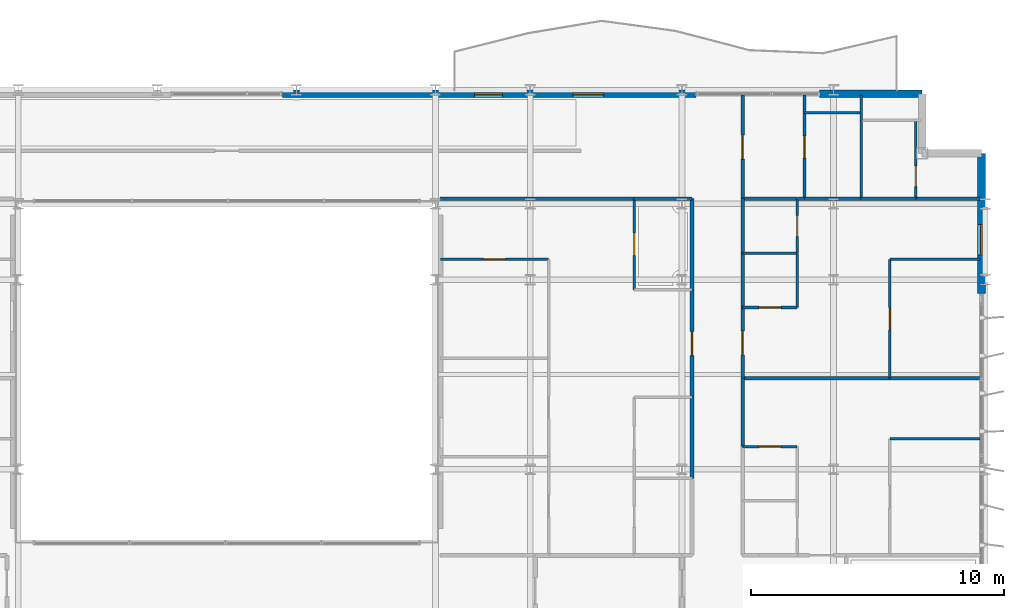
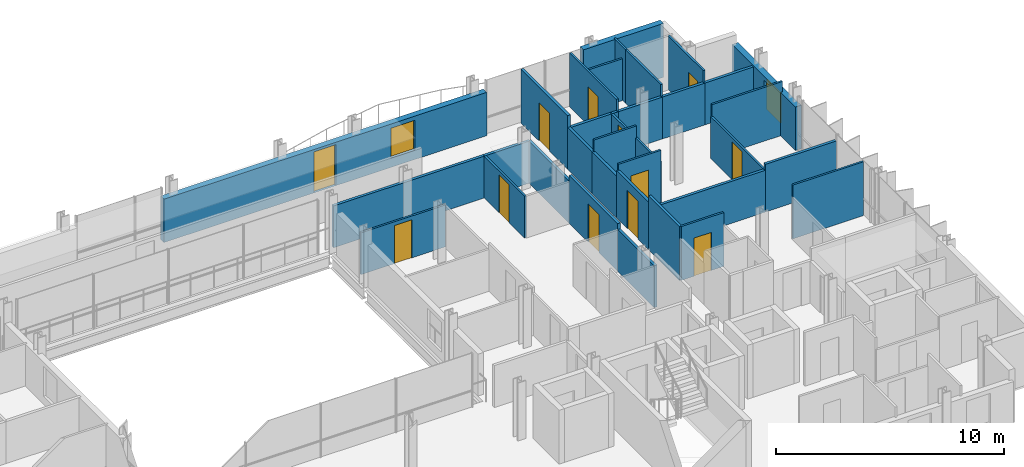
# One storey, part 32 of 39: 35 walls, 12 doors, 2 windows, 14 openings.
"""IFC4 building model written with IfcOpenShell, lengths in metres."""

from ifc_helpers import new_model, si_unit, direction, frame, frame_2d, origin, place, context, subcontext, project, spatial, rectangle, extrude, material, layer, layer_set, type_object, element, fill, save


model = new_model("IFC4")

# Units and contexts
model_context = context("Model", 3, precision=1e-05, world=origin(), true_north=direction((0.0, 1.0)))
body_context = subcontext(model_context, "Body", "Model", "MODEL_VIEW")
ifc_project = project(units=[si_unit("LENGTHUNIT", "METRE"), si_unit("AREAUNIT", "SQUARE_METRE"), si_unit("VOLUMEUNIT", "CUBIC_METRE"), si_unit("PLANEANGLEUNIT", "RADIAN"), si_unit("MASSUNIT", "GRAM", prefix="KILO")], contexts=[model_context])

# Site, building, storey
site_placement = place(None, origin())
site = spatial("IfcSite", under=ifc_project, at=site_placement, CompositionType="ELEMENT")
building_placement = place(site_placement, origin())
building = spatial("IfcBuilding", under=site, at=building_placement, Name="Brevholm Reach", CompositionType="ELEMENT")
storey_placement = place(building_placement, frame((0.0, 0.0, 115.89990234375)))
storey = spatial("IfcBuildingStorey", under=building, at=storey_placement, Name="L34", CompositionType="ELEMENT", Elevation=115.89990234375)

# Wall, opening, window
ifc_material_1 = material(Name="Concrete C40/50", Category="concrete")
ifc_layer_1 = layer(ifc_material_1, 0.300048828125)
ifc_layer_set_1 = layer_set([ifc_layer_1], Name="Concrete C40/50")
wall_type_1 = type_object("IfcWallType", Name="WAL-EXT-300", PredefinedType="STANDARD", material=ifc_layer_set_1)
wall_1_placement = place(storey_placement, frame((59.85009765625, 22.949951171875, 0.0), z_axis=(0.0, 0.0, 1.0), x_axis=(0.0, 1.0, 0.0)))
wall_1 = element("IfcWall", 1, at=wall_1_placement, inside=storey, type_object=wall_type_1, Name="L34 Facade Wall WAL-L34-E-N", PredefinedType="STANDARD", context=body_context, shape_type="SweptSolid", body=[
    extrude(rectangle(XDim=5.550048828125, YDim=0.300048828125, at=frame_2d((2.77490234375, 0.0))), origin(), (0.0, 0.0, 1.0), 2.322021484375),
])
opening_1_placement = place(wall_1_placement, frame((1.530029296875, 0.0, 0.501953125)))
opening_1 = element("IfcOpeningElement", 2, at=opening_1_placement, cuts=wall_1, Name="Opening WN-08", PredefinedType="OPENING", context=body_context, shape_type="SweptSolid", body=[
    extrude(rectangle(XDim=1.199951171875, YDim=1.60009765625, at=frame_2d((0.60009765625, 0.800048828125))), frame((0.0, 0.159912109375, 0.0), z_axis=(0.0, -1.0, 0.0), x_axis=(1.0, 0.0, 0.0)), (0.0, 0.0, 1.0), 0.320068359375),
])
ifc_material_2 = material(Name="Dark Anodised Aluminium and Solar-Control IGU Glass", Category="aluminium")
window_type = type_object("IfcWindowType", Name="WIN-RES-1200", PartitioningType="SINGLE_PANEL", PredefinedType="WINDOW", material=ifc_material_2)
window_1_placement = place(opening_1_placement, origin())
window_1 = element("IfcWindow", 3, at=window_1_placement, inside=storey, type_object=window_type, Name="L34 Window WIN-L34-EN-1", OverallHeight=1.60009765625, OverallWidth=1.199951171875, PartitioningType="SINGLE_PANEL", PredefinedType="WINDOW", context=body_context, shape_type="SweptSolid", body=[
    extrude(rectangle(XDim=1.199951171875, YDim=1.60009765625, at=frame_2d((0.60009765625, 0.800048828125))), frame((0.0, 0.030029296875, 0.0), z_axis=(0.0, -1.0, 0.0), x_axis=(1.0, 0.0, 0.0)), (0.0, 0.0, 1.0), 0.06005859375),
])
fill(opening_1, window_1)

# Wall
wall_2_placement = place(storey_placement, frame((53.449951171875, 30.85009765625, 0.0), z_axis=(0.0, 0.0, 1.0), x_axis=(1.0, 0.0, 0.0)))
element("IfcWall", 4, at=wall_2_placement, inside=storey, type_object=wall_type_1, Name="L34 Facade Wall WAL-L34-NP-E0", PredefinedType="STANDARD", context=body_context, shape_type="SweptSolid", body=[
    extrude(rectangle(XDim=4.050048828125, YDim=0.300048828125, at=frame_2d((2.02490234375, 0.0))), origin(), (0.0, 0.0, 1.0), 2.880126953125),
])

# Wall, openings, door, window
wall_3_placement = place(storey_placement, frame((32.199951171875, 30.85009765625, 0.0), z_axis=(0.0, 0.0, 1.0), x_axis=(1.0, 0.0, 0.0)))
wall_3 = element("IfcWall", 5, at=wall_3_placement, inside=storey, type_object=wall_type_1, Name="L34 Facade Wall WAL-L34-NP-ER", PredefinedType="STANDARD", context=body_context, shape_type="SweptSolid", body=[
    extrude(rectangle(XDim=16.35009765625, YDim=0.300048828125, at=frame_2d((8.175048828125, 0.0))), origin(), (0.0, 0.0, 1.0), 2.322021484375),
])
opening_2_placement = place(wall_3_placement, frame((7.60009765625, 0.0, 0.0)))
opening_2 = element("IfcOpeningElement", 6, at=opening_2_placement, cuts=wall_3, Name="Opening BD-01", PredefinedType="OPENING", context=body_context, shape_type="SweptSolid", body=[
    extrude(rectangle(XDim=1.10009765625, YDim=2.199951171875, at=frame_2d((0.550048828125, 1.10009765625))), frame((0.0, 0.159912109375, 0.0), z_axis=(0.0, -1.0, 0.0), x_axis=(1.0, 0.0, 0.0)), (0.0, 0.0, 1.0), 0.320068359375),
])
opening_3_placement = place(wall_3_placement, frame((11.5, 0.0, 0.501953125)))
opening_3 = element("IfcOpeningElement", 7, at=opening_3_placement, cuts=wall_3, Name="Opening WN-08", PredefinedType="OPENING", context=body_context, shape_type="SweptSolid", body=[
    extrude(rectangle(XDim=1.199951171875, YDim=1.60009765625, at=frame_2d((0.60009765625, 0.800048828125))), frame((0.0, 0.159912109375, 0.0), z_axis=(0.0, -1.0, 0.0), x_axis=(1.0, 0.0, 0.0)), (0.0, 0.0, 1.0), 0.320068359375),
])
ifc_material_3 = material(Name="Dark Anodised Aluminium and Triple-Glazed Glass", Category="aluminium")
door_type_1 = type_object("IfcDoorType", Name="DOR-BALC-1100", OperationType="NOTDEFINED", PredefinedType="DOOR", material=ifc_material_3)
door_1_placement = place(opening_2_placement, origin())
door_1 = element("IfcDoor", 8, at=door_1_placement, inside=storey, type_object=door_type_1, Name="L34 Exterior Door DOR-L34-BL-NE", OperationType="SINGLE_SWING_LEFT", OverallHeight=2.199951171875, OverallWidth=1.10009765625, PredefinedType="DOOR", context=body_context, shape_type="SweptSolid", body=[
    extrude(rectangle(XDim=1.10009765625, YDim=2.199951171875, at=frame_2d((0.550048828125, 1.10009765625))), frame((0.0, 0.02490234375, 0.0), z_axis=(0.0, -1.0, 0.0), x_axis=(1.0, 0.0, 0.0)), (0.0, 0.0, 1.0), 0.050048828125),
])
fill(opening_2, door_1)
window_2_placement = place(opening_3_placement, origin())
window_2 = element("IfcWindow", 9, at=window_2_placement, inside=storey, type_object=window_type, Name="L34 Window WIN-L34-NP-ER1", OverallHeight=1.60009765625, OverallWidth=1.199951171875, PartitioningType="SINGLE_PANEL", PredefinedType="WINDOW", context=body_context, shape_type="SweptSolid", body=[
    extrude(rectangle(XDim=1.199951171875, YDim=1.60009765625, at=frame_2d((0.60009765625, 0.800048828125))), frame((0.0, 0.030029296875, 0.0), z_axis=(0.0, -1.0, 0.0), x_axis=(1.0, 0.0, 0.0)), (0.0, 0.0, 1.0), 0.06005859375),
])
fill(opening_3, window_2)

# Wall, opening, door
ifc_material_4 = material(Name="Moisture-Resistant Acoustic Gypsum Stud Partition 100 mm", Category="gypsum")
ifc_layer_2 = layer(ifc_material_4, 0.10009765625)
ifc_layer_set_2 = layer_set([ifc_layer_2], Name="Moisture-Resistant Acoustic Gypsum Stud Partition 100 mm")
wall_type_2 = type_object("IfcWallType", Name="WAL-PRT-100", PredefinedType="PARTITIONING", material=ifc_layer_set_2)
wall_4_placement = place(storey_placement, frame((46.112060546875, 23.10009765625, 0.0), z_axis=(0.0, 0.0, 1.0), x_axis=(0.0, 1.0, 0.0)))
wall_4 = element("IfcWall", 10, at=wall_4_placement, inside=storey, type_object=wall_type_2, Name="L34 Internal Partition 125", PredefinedType="PARTITIONING", context=body_context, shape_type="SweptSolid", body=[
    extrude(rectangle(XDim=3.595947265625, YDim=0.10009765625, at=frame_2d((1.7978515625, 0.0))), origin(), (0.0, 0.0, 1.0), 2.242919921875),
])
opening_4_placement = place(wall_4_placement, frame((1.35791015625, 0.0, 0.0)))
opening_4 = element("IfcOpeningElement", 11, at=opening_4_placement, cuts=wall_4, Name="Opening ID-01", PredefinedType="OPENING", context=body_context, shape_type="SweptSolid", body=[
    extrude(rectangle(XDim=0.8798828125, YDim=2.0400390625, at=frame_2d((0.43994140625, 1.02001953125))), frame((0.0, 0.06005859375, 0.0), z_axis=(0.0, -1.0, 0.0), x_axis=(1.0, 0.0, 0.0)), (0.0, 0.0, 1.0), 0.1201171875),
])
ifc_material_5 = material(Name="Lacquered Ash Solid-Core Acoustic Internal Door", Category="timber")
door_type_2 = type_object("IfcDoorType", Name="DOR-INT-880", OperationType="NOTDEFINED", PredefinedType="DOOR", material=ifc_material_5)
door_2_placement = place(opening_4_placement, origin())
door_2 = element("IfcDoor", 12, at=door_2_placement, inside=storey, type_object=door_type_2, Name="L34 Internal Door 046", OperationType="SINGLE_SWING_RIGHT", OverallHeight=2.0400390625, OverallWidth=0.8798828125, PredefinedType="DOOR", context=body_context, shape_type="SweptSolid", body=[
    extrude(rectangle(XDim=0.8798828125, YDim=2.0400390625, at=frame_2d((0.43994140625, 1.02001953125))), frame((0.0, 0.02490234375, 0.0), z_axis=(0.0, -1.0, 0.0), x_axis=(1.0, 0.0, 0.0)), (0.0, 0.0, 1.0), 0.050048828125),
])
fill(opening_4, door_2)

wall_5_placement = place(storey_placement, frame((38.449951171875, 24.300048828125, 0.0), z_axis=(0.0, 0.0, 1.0), x_axis=(1.0, 0.0, 0.0)))
wall_5 = element("IfcWall", 13, at=wall_5_placement, inside=storey, type_object=wall_type_2, Name="L34 Internal Partition 131", PredefinedType="PARTITIONING", context=body_context, shape_type="SweptSolid", body=[
    extrude(rectangle(XDim=4.278076171875, YDim=0.10009765625, at=frame_2d((2.13916015625, 0.0))), origin(), (0.0, 0.0, 1.0), 2.242919921875),
])
opening_5_placement = place(wall_5_placement, frame((1.698974609375, 0.0, 0.0)))
opening_5 = element("IfcOpeningElement", 14, at=opening_5_placement, cuts=wall_5, Name="Opening ID-01", PredefinedType="OPENING", context=body_context, shape_type="SweptSolid", body=[
    extrude(rectangle(XDim=0.8798828125, YDim=2.0400390625, at=frame_2d((0.43994140625, 1.02001953125))), frame((0.0, 0.06005859375, 0.0), z_axis=(0.0, -1.0, 0.0), x_axis=(1.0, 0.0, 0.0)), (0.0, 0.0, 1.0), 0.1201171875),
])
door_3_placement = place(opening_5_placement, origin())
door_3 = element("IfcDoor", 15, at=door_3_placement, inside=storey, type_object=door_type_2, Name="L34 Internal Door 049", OperationType="SINGLE_SWING_LEFT", OverallHeight=2.0400390625, OverallWidth=0.8798828125, PredefinedType="DOOR", context=body_context, shape_type="SweptSolid", body=[
    extrude(rectangle(XDim=0.8798828125, YDim=2.0400390625, at=frame_2d((0.43994140625, 1.02001953125))), frame((0.0, 0.02490234375, 0.0), z_axis=(0.0, -1.0, 0.0), x_axis=(1.0, 0.0, 0.0)), (0.0, 0.0, 1.0), 0.050048828125),
])
fill(opening_5, door_3)

wall_6_placement = place(storey_placement, frame((50.404052734375, 16.89990234375, 0.0), z_axis=(0.0, 0.0, 1.0), x_axis=(1.0, 0.0, 0.0)))
wall_6 = element("IfcWall", 16, at=wall_6_placement, inside=storey, type_object=wall_type_2, Name="L34 Internal Partition 135", PredefinedType="PARTITIONING", context=body_context, shape_type="SweptSolid", body=[
    extrude(rectangle(XDim=2.157958984375, YDim=0.10009765625, at=frame_2d((1.0791015625, 0.0))), origin(), (0.0, 0.0, 1.0), 2.880126953125),
])
opening_6_placement = place(wall_6_placement, frame((0.638916015625, 0.0, 0.0)))
opening_6 = element("IfcOpeningElement", 17, at=opening_6_placement, cuts=wall_6, Name="Opening ID-01", PredefinedType="OPENING", context=body_context, shape_type="SweptSolid", body=[
    extrude(rectangle(XDim=0.8798828125, YDim=2.0400390625, at=frame_2d((0.43994140625, 1.02001953125))), frame((0.0, 0.06005859375, 0.0), z_axis=(0.0, -1.0, 0.0), x_axis=(1.0, 0.0, 0.0)), (0.0, 0.0, 1.0), 0.1201171875),
])
door_4_placement = place(opening_6_placement, origin())
door_4 = element("IfcDoor", 18, at=door_4_placement, inside=storey, type_object=door_type_2, Name="L34 Internal Door 051", OperationType="SINGLE_SWING_LEFT", OverallHeight=2.0400390625, OverallWidth=0.8798828125, PredefinedType="DOOR", context=body_context, shape_type="SweptSolid", body=[
    extrude(rectangle(XDim=0.8798828125, YDim=2.0400390625, at=frame_2d((0.43994140625, 1.02001953125))), frame((0.0, 0.02490234375, 0.0), z_axis=(0.0, -1.0, 0.0), x_axis=(1.0, 0.0, 0.0)), (0.0, 0.0, 1.0), 0.050048828125),
])
fill(opening_6, door_4)

# Walls
wall_7_placement = place(storey_placement, frame((56.22802734375, 17.199951171875, 0.0), z_axis=(0.0, 0.0, 1.0), x_axis=(1.0, 0.0, 0.0)))
element("IfcWall", 19, at=wall_7_placement, inside=storey, type_object=wall_type_2, Name="L34 Internal Partition 136", PredefinedType="PARTITIONING", context=body_context, shape_type="SweptSolid", body=[
    extrude(rectangle(XDim=3.572021484375, YDim=0.10009765625, at=frame_2d((1.7861328125, 0.0))), origin(), (0.0, 0.0, 1.0), 2.880126953125),
])
wall_8_placement = place(storey_placement, frame((50.404052734375, 24.550048828125, 0.0), z_axis=(0.0, 0.0, 1.0), x_axis=(1.0, 0.0, 0.0)))
element("IfcWall", 20, at=wall_8_placement, inside=storey, type_object=wall_type_2, Name="L34 Internal Partition 140", PredefinedType="PARTITIONING", context=body_context, shape_type="SweptSolid", body=[
    extrude(rectangle(XDim=2.157958984375, YDim=0.10009765625, at=frame_2d((1.0791015625, 0.0))), origin(), (0.0, 0.0, 1.0), 2.880126953125),
])

# Wall, opening, door
wall_9_placement = place(storey_placement, frame((52.56201171875, 24.550048828125, 0.0), z_axis=(0.0, 0.0, 1.0), x_axis=(0.0, 1.0, 0.0)))
wall_9 = element("IfcWall", 21, at=wall_9_placement, inside=storey, type_object=wall_type_2, Name="L34 Internal Partition 141", PredefinedType="PARTITIONING", context=body_context, shape_type="SweptSolid", body=[
    extrude(rectangle(XDim=2.14990234375, YDim=0.10009765625, at=frame_2d((1.074951171875, 0.0))), origin(), (0.0, 0.0, 1.0), 2.242919921875),
])
opening_7_placement = place(wall_9_placement, frame((0.6650390625, 0.0, 0.0)))
opening_7 = element("IfcOpeningElement", 22, at=opening_7_placement, cuts=wall_9, Name="Opening ID-03", PredefinedType="OPENING", context=body_context, shape_type="SweptSolid", body=[
    extrude(rectangle(XDim=0.820068359375, YDim=2.02001953125, at=frame_2d((0.41015625, 1.010009765625))), frame((0.0, 0.06005859375, 0.0), z_axis=(0.0, -1.0, 0.0), x_axis=(1.0, 0.0, 0.0)), (0.0, 0.0, 1.0), 0.1201171875),
])
ifc_material_6 = material(Name="Moisture-Resistant Painted Timber Internal Bathroom Door", Category="wood")
door_type_3 = type_object("IfcDoorType", Name="DOR-BATH-820", OperationType="NOTDEFINED", PredefinedType="DOOR", material=ifc_material_6)
door_5_placement = place(opening_7_placement, origin())
door_5 = element("IfcDoor", 23, at=door_5_placement, inside=storey, type_object=door_type_3, Name="L34 Internal Door 053", OperationType="SINGLE_SWING_LEFT", OverallHeight=2.02001953125, OverallWidth=0.820068359375, PredefinedType="DOOR", context=body_context, shape_type="SweptSolid", body=[
    extrude(rectangle(XDim=0.820068359375, YDim=2.02001953125, at=frame_2d((0.41015625, 1.010009765625))), frame((0.0, 0.02490234375, 0.0), z_axis=(0.0, -1.0, 0.0), x_axis=(1.0, 0.0, 0.0)), (0.0, 0.0, 1.0), 0.050048828125),
])
fill(opening_7, door_5)

wall_10_placement = place(storey_placement, frame((50.404052734375, 22.39990234375, 0.0), z_axis=(0.0, 0.0, 1.0), x_axis=(1.0, 0.0, 0.0)))
wall_10 = element("IfcWall", 24, at=wall_10_placement, inside=storey, type_object=wall_type_2, Name="L34 Internal Partition 143", PredefinedType="PARTITIONING", context=body_context, shape_type="SweptSolid", body=[
    extrude(rectangle(XDim=2.157958984375, YDim=0.10009765625, at=frame_2d((1.0791015625, 0.0))), origin(), (0.0, 0.0, 1.0), 2.880126953125),
])
opening_8_placement = place(wall_10_placement, frame((0.638916015625, 0.0, 0.0)))
opening_8 = element("IfcOpeningElement", 25, at=opening_8_placement, cuts=wall_10, Name="Opening ID-01", PredefinedType="OPENING", context=body_context, shape_type="SweptSolid", body=[
    extrude(rectangle(XDim=0.8798828125, YDim=2.0400390625, at=frame_2d((0.43994140625, 1.02001953125))), frame((0.0, 0.06005859375, 0.0), z_axis=(0.0, -1.0, 0.0), x_axis=(1.0, 0.0, 0.0)), (0.0, 0.0, 1.0), 0.1201171875),
])
door_6_placement = place(opening_8_placement, origin())
door_6 = element("IfcDoor", 26, at=door_6_placement, inside=storey, type_object=door_type_2, Name="L34 Internal Door 054", OperationType="SINGLE_SWING_RIGHT", OverallHeight=2.0400390625, OverallWidth=0.8798828125, PredefinedType="DOOR", context=body_context, shape_type="SweptSolid", body=[
    extrude(rectangle(XDim=0.8798828125, YDim=2.0400390625, at=frame_2d((0.43994140625, 1.02001953125))), frame((0.0, 0.02490234375, 0.0), z_axis=(0.0, -1.0, 0.0), x_axis=(1.0, 0.0, 0.0)), (0.0, 0.0, 1.0), 0.050048828125),
])
fill(opening_8, door_6)

# Walls
wall_11_placement = place(storey_placement, frame((52.56201171875, 22.39990234375, 0.0), z_axis=(0.0, 0.0, 1.0), x_axis=(0.0, 1.0, 0.0)))
element("IfcWall", 27, at=wall_11_placement, inside=storey, type_object=wall_type_2, Name="L34 Internal Partition 144", PredefinedType="PARTITIONING", context=body_context, shape_type="SweptSolid", body=[
    extrude(rectangle(XDim=2.14599609375, YDim=0.10009765625, at=frame_2d((1.072998046875, 0.0))), origin(), (0.0, 0.0, 1.0), 2.242919921875),
])
wall_12_placement = place(storey_placement, frame((56.22802734375, 24.300048828125, 0.0), z_axis=(0.0, 0.0, 1.0), x_axis=(1.0, 0.0, 0.0)))
element("IfcWall", 28, at=wall_12_placement, inside=storey, type_object=wall_type_2, Name="L34 Internal Partition 145", PredefinedType="PARTITIONING", context=body_context, shape_type="SweptSolid", body=[
    extrude(rectangle(XDim=3.572021484375, YDim=0.10009765625, at=frame_2d((1.7861328125, 0.0))), origin(), (0.0, 0.0, 1.0), 2.880126953125),
])

# Wall, opening, door
wall_13_placement = place(storey_placement, frame((56.22802734375, 19.60400390625, 0.0), z_axis=(0.0, 0.0, 1.0), x_axis=(0.0, 1.0, 0.0)))
wall_13 = element("IfcWall", 29, at=wall_13_placement, inside=storey, type_object=wall_type_2, Name="L34 Internal Partition 146", PredefinedType="PARTITIONING", context=body_context, shape_type="SweptSolid", body=[
    extrude(rectangle(XDim=4.696044921875, YDim=0.10009765625, at=frame_2d((2.34814453125, 0.0))), origin(), (0.0, 0.0, 1.0), 2.242919921875),
])
opening_9_placement = place(wall_13_placement, frame((1.907958984375, 0.0, 0.0)))
opening_9 = element("IfcOpeningElement", 30, at=opening_9_placement, cuts=wall_13, Name="Opening ID-01", PredefinedType="OPENING", context=body_context, shape_type="SweptSolid", body=[
    extrude(rectangle(XDim=0.8798828125, YDim=2.0400390625, at=frame_2d((0.43994140625, 1.02001953125))), frame((0.0, 0.06005859375, 0.0), z_axis=(0.0, -1.0, 0.0), x_axis=(1.0, 0.0, 0.0)), (0.0, 0.0, 1.0), 0.1201171875),
])
door_7_placement = place(opening_9_placement, origin())
door_7 = element("IfcDoor", 31, at=door_7_placement, inside=storey, type_object=door_type_2, Name="L34 Internal Door 055", OperationType="SINGLE_SWING_LEFT", OverallHeight=2.0400390625, OverallWidth=0.8798828125, PredefinedType="DOOR", context=body_context, shape_type="SweptSolid", body=[
    extrude(rectangle(XDim=0.8798828125, YDim=2.0400390625, at=frame_2d((0.43994140625, 1.02001953125))), frame((0.0, 0.02490234375, 0.0), z_axis=(0.0, -1.0, 0.0), x_axis=(1.0, 0.0, 0.0)), (0.0, 0.0, 1.0), 0.050048828125),
])
fill(opening_9, door_7)

# Wall
wall_14_placement = place(storey_placement, frame((55.10009765625, 26.7041015625, 0.0), z_axis=(0.0, 0.0, 1.0), x_axis=(0.0, 1.0, 0.0)))
element("IfcWall", 32, at=wall_14_placement, inside=storey, type_object=wall_type_2, Name="L34 Internal Partition 157", PredefinedType="PARTITIONING", context=body_context, shape_type="SweptSolid", body=[
    extrude(rectangle(XDim=3.095947265625, YDim=0.10009765625, at=frame_2d((1.5478515625, 0.0))), origin(), (0.0, 0.0, 1.0), 2.880126953125),
])

# Wall, opening, door
wall_15_placement = place(storey_placement, frame((57.25, 26.7041015625, 0.0), z_axis=(0.0, 0.0, 1.0), x_axis=(0.0, 1.0, 0.0)))
wall_15 = element("IfcWall", 33, at=wall_15_placement, inside=storey, type_object=wall_type_2, Name="L34 Internal Partition 158", PredefinedType="PARTITIONING", context=body_context, shape_type="SweptSolid", body=[
    extrude(rectangle(XDim=3.095947265625, YDim=0.10009765625, at=frame_2d((1.5478515625, 0.0))), origin(), (0.0, 0.0, 1.0), 2.880126953125),
])
opening_10_placement = place(wall_15_placement, frame((0.47802734375, 0.0, 0.0)))
opening_10 = element("IfcOpeningElement", 34, at=opening_10_placement, cuts=wall_15, Name="Opening ID-03", PredefinedType="OPENING", context=body_context, shape_type="SweptSolid", body=[
    extrude(rectangle(XDim=0.820068359375, YDim=2.02001953125, at=frame_2d((0.41015625, 1.010009765625))), frame((0.0, 0.06005859375, 0.0), z_axis=(0.0, -1.0, 0.0), x_axis=(1.0, 0.0, 0.0)), (0.0, 0.0, 1.0), 0.1201171875),
])
door_8_placement = place(opening_10_placement, origin())
door_8 = element("IfcDoor", 35, at=door_8_placement, inside=storey, type_object=door_type_3, Name="L34 Internal Door 058", OperationType="SINGLE_SWING_RIGHT", OverallHeight=2.02001953125, OverallWidth=0.820068359375, PredefinedType="DOOR", context=body_context, shape_type="SweptSolid", body=[
    extrude(rectangle(XDim=0.820068359375, YDim=2.02001953125, at=frame_2d((0.41015625, 1.010009765625))), frame((0.0, 0.02490234375, 0.0), z_axis=(0.0, -1.0, 0.0), x_axis=(1.0, 0.0, 0.0)), (0.0, 0.0, 1.0), 0.050048828125),
])
fill(opening_10, door_8)

# Walls
wall_16_placement = place(storey_placement, frame((55.10009765625, 29.803955078125, 0.0), z_axis=(0.0, 0.0, 1.0), x_axis=(0.0, 1.0, 0.0)))
element("IfcWall", 36, at=wall_16_placement, inside=storey, type_object=wall_type_2, Name="L34 Internal Partition 160", PredefinedType="PARTITIONING", context=body_context, shape_type="SweptSolid", body=[
    extrude(rectangle(XDim=0.99609375, YDim=0.10009765625, at=frame_2d((0.498046875, 0.0))), origin(), (0.0, 0.0, 1.0), 2.880126953125),
])
wall_17_placement = place(storey_placement, frame((52.85009765625, 30.10009765625, 0.0), z_axis=(0.0, 0.0, 1.0), x_axis=(1.0, 0.0, 0.0)))
element("IfcWall", 37, at=wall_17_placement, inside=storey, type_object=wall_type_2, Name="L34 Internal Partition 161", PredefinedType="PARTITIONING", context=body_context, shape_type="SweptSolid", body=[
    extrude(rectangle(XDim=2.25, YDim=0.10009765625, at=frame_2d((1.125, 0.0))), origin(), (0.0, 0.0, 1.0), 2.242919921875),
])

# Wall, opening, door
wall_18_placement = place(storey_placement, frame((52.85009765625, 26.7041015625, 0.0), z_axis=(0.0, 0.0, 1.0), x_axis=(0.0, 1.0, 0.0)))
wall_18 = element("IfcWall", 38, at=wall_18_placement, inside=storey, type_object=wall_type_2, Name="L34 Internal Partition 162", PredefinedType="PARTITIONING", context=body_context, shape_type="SweptSolid", body=[
    extrude(rectangle(XDim=4.095947265625, YDim=0.10009765625, at=frame_2d((2.0478515625, 0.0))), origin(), (0.0, 0.0, 1.0), 2.880126953125),
])
opening_11_placement = place(wall_18_placement, frame((1.60791015625, 0.0, 0.0)))
opening_11 = element("IfcOpeningElement", 39, at=opening_11_placement, cuts=wall_18, Name="Opening ID-01", PredefinedType="OPENING", context=body_context, shape_type="SweptSolid", body=[
    extrude(rectangle(XDim=0.8798828125, YDim=2.0400390625, at=frame_2d((0.43994140625, 1.02001953125))), frame((0.0, 0.06005859375, 0.0), z_axis=(0.0, -1.0, 0.0), x_axis=(1.0, 0.0, 0.0)), (0.0, 0.0, 1.0), 0.1201171875),
])
door_9_placement = place(opening_11_placement, origin())
door_9 = element("IfcDoor", 40, at=door_9_placement, inside=storey, type_object=door_type_2, Name="L34 Internal Door 059", OperationType="SINGLE_SWING_LEFT", OverallHeight=2.0400390625, OverallWidth=0.8798828125, PredefinedType="DOOR", context=body_context, shape_type="SweptSolid", body=[
    extrude(rectangle(XDim=0.8798828125, YDim=2.0400390625, at=frame_2d((0.43994140625, 1.02001953125))), frame((0.0, 0.02490234375, 0.0), z_axis=(0.0, -1.0, 0.0), x_axis=(1.0, 0.0, 0.0)), (0.0, 0.0, 1.0), 0.050048828125),
])
fill(opening_11, door_9)

# Walls
ifc_material_7 = material(Name="Twin-Stud Acoustic Fire-Rated Gypsum Partition 140 mm", Category="gypsum")
ifc_layer_3 = layer(ifc_material_7, 0.139892578125)
ifc_layer_set_3 = layer_set([ifc_layer_3], Name="Twin-Stud Acoustic Fire-Rated Gypsum Partition 140 mm")
wall_type_3 = type_object("IfcWallType", Name="WAL-PRT-140", PredefinedType="PARTITIONING", material=ifc_layer_set_3)
wall_19_placement = place(storey_placement, frame((48.39990234375, 15.642578125, 0.0), z_axis=(0.0, 0.0, 1.0), x_axis=(0.0, 1.0, 0.0)))
element("IfcWall", 41, at=wall_19_placement, inside=storey, type_object=wall_type_3, Name="L34 Internal Partition 047", PredefinedType="PARTITIONING", context=body_context, shape_type="SweptSolid", body=[
    extrude(rectangle(XDim=3.21875, YDim=0.139892578125, at=frame_2d((1.609375, 0.0))), origin(), (0.0, 0.0, 1.0), 2.242919921875),
])
wall_20_placement = place(storey_placement, frame((48.39990234375, 23.088623046875, 0.0), z_axis=(0.0, 0.0, 1.0), x_axis=(0.0, 1.0, 0.0)))
element("IfcWall", 42, at=wall_20_placement, inside=storey, type_object=wall_type_3, Name="L34 Internal Partition 048", PredefinedType="PARTITIONING", context=body_context, shape_type="SweptSolid", body=[
    extrude(rectangle(XDim=3.61865234375, YDim=0.139892578125, at=frame_2d((1.809326171875, 0.0))), origin(), (0.0, 0.0, 1.0), 2.242919921875),
])

# Wall, opening, door
wall_21_placement = place(storey_placement, frame((48.39990234375, 18.8427734375, 0.0), z_axis=(0.0, 0.0, 1.0), x_axis=(0.0, 1.0, 0.0)))
wall_21 = element("IfcWall", 43, at=wall_21_placement, inside=storey, type_object=wall_type_3, Name="L34 Internal Partition 049", PredefinedType="PARTITIONING", context=body_context, shape_type="SweptSolid", body=[
    extrude(rectangle(XDim=4.2646484375, YDim=0.139892578125, at=frame_2d((2.13232421875, 0.0))), origin(), (0.0, 0.0, 1.0), 2.5517578125),
])
opening_12_placement = place(wall_21_placement, frame((1.6572265625, 0.0, 0.0)))
opening_12 = element("IfcOpeningElement", 44, at=opening_12_placement, cuts=wall_21, Name="Opening ID-30", PredefinedType="OPENING", context=body_context, shape_type="SweptSolid", body=[
    extrude(rectangle(XDim=0.949951171875, YDim=2.050048828125, at=frame_2d((0.47509765625, 1.02490234375))), frame((0.0, 0.079833984375, 0.0), z_axis=(0.0, -1.0, 0.0), x_axis=(1.0, 0.0, 0.0)), (0.0, 0.0, 1.0), 0.159912109375),
])
ifc_material_8 = material(Name="European Oak Veneered Solid-Core Fire Entrance Door", Category="timber")
door_type_4 = type_object("IfcDoorType", Name="DOR-FLT-FD30S", OperationType="NOTDEFINED", PredefinedType="DOOR", material=ifc_material_8)
door_10_placement = place(opening_12_placement, origin())
door_10 = element("IfcDoor", 45, at=door_10_placement, inside=storey, type_object=door_type_4, Name="L34 Internal Door 020", OperationType="SINGLE_SWING_RIGHT", OverallHeight=2.050048828125, OverallWidth=0.949951171875, PredefinedType="DOOR", context=body_context, shape_type="SweptSolid", body=[
    extrude(rectangle(XDim=0.949951171875, YDim=2.050048828125, at=frame_2d((0.47509765625, 1.02490234375))), frame((0.0, 0.02490234375, 0.0), z_axis=(0.0, -1.0, 0.0), x_axis=(1.0, 0.0, 0.0)), (0.0, 0.0, 1.0), 0.050048828125),
])
fill(opening_12, door_10)

# Walls
wall_22_placement = place(storey_placement, frame((50.39990234375, 16.892578125, 0.0), z_axis=(0.0, 0.0, 1.0), x_axis=(0.0, 1.0, 0.0)))
element("IfcWall", 46, at=wall_22_placement, inside=storey, type_object=wall_type_3, Name="L34 Internal Partition 052", PredefinedType="PARTITIONING", context=body_context, shape_type="SweptSolid", body=[
    extrude(rectangle(XDim=2.71875, YDim=0.139892578125, at=frame_2d((1.359375, 0.0))), origin(), (0.0, 0.0, 1.0), 2.880126953125),
])
wall_23_placement = place(storey_placement, frame((50.39990234375, 24.538818359375, 0.0), z_axis=(0.0, 0.0, 1.0), x_axis=(0.0, 1.0, 0.0)))
element("IfcWall", 47, at=wall_23_placement, inside=storey, type_object=wall_type_3, Name="L34 Internal Partition 053", PredefinedType="PARTITIONING", context=body_context, shape_type="SweptSolid", body=[
    extrude(rectangle(XDim=2.17236328125, YDim=0.139892578125, at=frame_2d((1.086181640625, 0.0))), origin(), (0.0, 0.0, 1.0), 2.242919921875),
])
wall_24_placement = place(storey_placement, frame((50.39990234375, 22.388671875, 0.0), z_axis=(0.0, 0.0, 1.0), x_axis=(0.0, 1.0, 0.0)))
element("IfcWall", 48, at=wall_24_placement, inside=storey, type_object=wall_type_3, Name="L34 Internal Partition 054", PredefinedType="PARTITIONING", context=body_context, shape_type="SweptSolid", body=[
    extrude(rectangle(XDim=2.168701171875, YDim=0.139892578125, at=frame_2d((1.08447265625, 0.0))), origin(), (0.0, 0.0, 1.0), 2.242919921875),
])

# Wall, opening, door
wall_25_placement = place(storey_placement, frame((50.39990234375, 19.5927734375, 0.0), z_axis=(0.0, 0.0, 1.0), x_axis=(0.0, 1.0, 0.0)))
wall_25 = element("IfcWall", 49, at=wall_25_placement, inside=storey, type_object=wall_type_3, Name="L34 Internal Partition 055", PredefinedType="PARTITIONING", context=body_context, shape_type="SweptSolid", body=[
    extrude(rectangle(XDim=2.814453125, YDim=0.139892578125, at=frame_2d((1.4072265625, 0.0))), origin(), (0.0, 0.0, 1.0), 2.5517578125),
])
opening_13_placement = place(wall_25_placement, frame((0.932373046875, 0.0, 0.0)))
opening_13 = element("IfcOpeningElement", 50, at=opening_13_placement, cuts=wall_25, Name="Opening ID-30", PredefinedType="OPENING", context=body_context, shape_type="SweptSolid", body=[
    extrude(rectangle(XDim=0.949951171875, YDim=2.050048828125, at=frame_2d((0.47509765625, 1.02490234375))), frame((0.0, 0.079833984375, 0.0), z_axis=(0.0, -1.0, 0.0), x_axis=(1.0, 0.0, 0.0)), (0.0, 0.0, 1.0), 0.159912109375),
])
door_11_placement = place(opening_13_placement, origin())
door_11 = element("IfcDoor", 51, at=door_11_placement, inside=storey, type_object=door_type_4, Name="L34 Internal Door 021", OperationType="SINGLE_SWING_LEFT", OverallHeight=2.050048828125, OverallWidth=0.949951171875, PredefinedType="DOOR", context=body_context, shape_type="SweptSolid", body=[
    extrude(rectangle(XDim=0.949951171875, YDim=2.050048828125, at=frame_2d((0.47509765625, 1.02490234375))), frame((0.0, 0.02490234375, 0.0), z_axis=(0.0, -1.0, 0.0), x_axis=(1.0, 0.0, 0.0)), (0.0, 0.0, 1.0), 0.050048828125),
])
fill(opening_13, door_11)

wall_26_placement = place(storey_placement, frame((50.39990234375, 26.692626953125, 0.0), z_axis=(0.0, 0.0, 1.0), x_axis=(0.0, 1.0, 0.0)))
wall_26 = element("IfcWall", 52, at=wall_26_placement, inside=storey, type_object=wall_type_3, Name="L34 Internal Partition 056", PredefinedType="PARTITIONING", context=body_context, shape_type="SweptSolid", body=[
    extrude(rectangle(XDim=4.107421875, YDim=0.139892578125, at=frame_2d((2.0537109375, 0.0))), origin(), (0.0, 0.0, 1.0), 2.880126953125),
])
opening_14_placement = place(wall_26_placement, frame((1.57861328125, 0.0, 0.0)))
opening_14 = element("IfcOpeningElement", 53, at=opening_14_placement, cuts=wall_26, Name="Opening ID-30", PredefinedType="OPENING", context=body_context, shape_type="SweptSolid", body=[
    extrude(rectangle(XDim=0.949951171875, YDim=2.050048828125, at=frame_2d((0.47509765625, 1.02490234375))), frame((0.0, 0.079833984375, 0.0), z_axis=(0.0, -1.0, 0.0), x_axis=(1.0, 0.0, 0.0)), (0.0, 0.0, 1.0), 0.159912109375),
])
door_12_placement = place(opening_14_placement, origin())
door_12 = element("IfcDoor", 54, at=door_12_placement, inside=storey, type_object=door_type_4, Name="L34 Internal Door 022", OperationType="SINGLE_SWING_RIGHT", OverallHeight=2.050048828125, OverallWidth=0.949951171875, PredefinedType="DOOR", context=body_context, shape_type="SweptSolid", body=[
    extrude(rectangle(XDim=0.949951171875, YDim=2.050048828125, at=frame_2d((0.47509765625, 1.02490234375))), frame((0.0, 0.02490234375, 0.0), z_axis=(0.0, -1.0, 0.0), x_axis=(1.0, 0.0, 0.0)), (0.0, 0.0, 1.0), 0.050048828125),
])
fill(opening_14, door_12)

# Walls
wall_27_placement = place(storey_placement, frame((46.1005859375, 26.699951171875, 0.0), z_axis=(0.0, 0.0, 1.0), x_axis=(1.0, 0.0, 0.0)))
element("IfcWall", 55, at=wall_27_placement, inside=storey, type_object=wall_type_3, Name="L34 Internal Partition 059", PredefinedType="PARTITIONING", context=body_context, shape_type="SweptSolid", body=[
    extrude(rectangle(XDim=2.29541015625, YDim=0.139892578125, at=frame_2d((1.147705078125, 0.0))), origin(), (0.0, 0.0, 1.0), 2.242919921875),
])
wall_28_placement = place(storey_placement, frame((38.438720703125, 26.699951171875, 0.0), z_axis=(0.0, 0.0, 1.0), x_axis=(1.0, 0.0, 0.0)))
element("IfcWall", 56, at=wall_28_placement, inside=storey, type_object=wall_type_3, Name="L34 Internal Partition 060", PredefinedType="PARTITIONING", context=body_context, shape_type="SweptSolid", body=[
    extrude(rectangle(XDim=7.6806640625, YDim=0.139892578125, at=frame_2d((3.84033203125, 0.0))), origin(), (0.0, 0.0, 1.0), 2.242919921875),
])
wall_29_placement = place(storey_placement, frame((56.216796875, 19.60009765625, 0.0), z_axis=(0.0, 0.0, 1.0), x_axis=(1.0, 0.0, 0.0)))
element("IfcWall", 57, at=wall_29_placement, inside=storey, type_object=wall_type_3, Name="L34 Internal Partition 138", PredefinedType="PARTITIONING", context=body_context, shape_type="SweptSolid", body=[
    extrude(rectangle(XDim=3.583251953125, YDim=0.139892578125, at=frame_2d((1.79150390625, 0.0))), origin(), (0.0, 0.0, 1.0), 2.5517578125),
])
wall_30_placement = place(storey_placement, frame((50.404052734375, 19.60009765625, 0.0), z_axis=(0.0, 0.0, 1.0), x_axis=(1.0, 0.0, 0.0)))
element("IfcWall", 58, at=wall_30_placement, inside=storey, type_object=wall_type_3, Name="L34 Internal Partition 139", PredefinedType="PARTITIONING", context=body_context, shape_type="SweptSolid", body=[
    extrude(rectangle(XDim=5.831298828125, YDim=0.139892578125, at=frame_2d((2.91552734375, 0.0))), origin(), (0.0, 0.0, 1.0), 2.242919921875),
])
wall_31_placement = place(storey_placement, frame((50.404052734375, 26.699951171875, 0.0), z_axis=(0.0, 0.0, 1.0), x_axis=(1.0, 0.0, 0.0)))
element("IfcWall", 59, at=wall_31_placement, inside=storey, type_object=wall_type_3, Name="L34 Internal Partition 142", PredefinedType="PARTITIONING", context=body_context, shape_type="SweptSolid", body=[
    extrude(rectangle(XDim=2.157958984375, YDim=0.139892578125, at=frame_2d((1.0791015625, 0.0))), origin(), (0.0, 0.0, 1.0), 2.242919921875),
])
wall_32_placement = place(storey_placement, frame((55.088623046875, 26.699951171875, 0.0), z_axis=(0.0, 0.0, 1.0), x_axis=(1.0, 0.0, 0.0)))
element("IfcWall", 60, at=wall_32_placement, inside=storey, type_object=wall_type_3, Name="L34 Internal Partition 147", PredefinedType="PARTITIONING", context=body_context, shape_type="SweptSolid", body=[
    extrude(rectangle(XDim=2.172607421875, YDim=0.139892578125, at=frame_2d((1.08642578125, 0.0))), origin(), (0.0, 0.0, 1.0), 2.242919921875),
])
wall_33_placement = place(storey_placement, frame((52.838623046875, 26.699951171875, 0.0), z_axis=(0.0, 0.0, 1.0), x_axis=(1.0, 0.0, 0.0)))
element("IfcWall", 61, at=wall_33_placement, inside=storey, type_object=wall_type_3, Name="L34 Internal Partition 148", PredefinedType="PARTITIONING", context=body_context, shape_type="SweptSolid", body=[
    extrude(rectangle(XDim=2.268798828125, YDim=0.139892578125, at=frame_2d((1.13427734375, 0.0))), origin(), (0.0, 0.0, 1.0), 2.242919921875),
])
wall_34_placement = place(storey_placement, frame((57.24267578125, 26.699951171875, 0.0), z_axis=(0.0, 0.0, 1.0), x_axis=(1.0, 0.0, 0.0)))
element("IfcWall", 62, at=wall_34_placement, inside=storey, type_object=wall_type_3, Name="L34 Internal Partition 149", PredefinedType="PARTITIONING", context=body_context, shape_type="SweptSolid", body=[
    extrude(rectangle(XDim=2.557373046875, YDim=0.139892578125, at=frame_2d((1.27880859375, 0.0))), origin(), (0.0, 0.0, 1.0), 2.242919921875),
])
wall_35_placement = place(storey_placement, frame((52.56591796875, 26.699951171875, 0.0), z_axis=(0.0, 0.0, 1.0), x_axis=(1.0, 0.0, 0.0)))
element("IfcWall", 63, at=wall_35_placement, inside=storey, type_object=wall_type_3, Name="L34 Internal Partition 150", PredefinedType="PARTITIONING", context=body_context, shape_type="SweptSolid", body=[
    extrude(rectangle(XDim=0.29150390625, YDim=0.139892578125, at=frame_2d((0.145751953125, 0.0))), origin(), (0.0, 0.0, 1.0), 2.242919921875),
])

save(model, "model.ifc")
